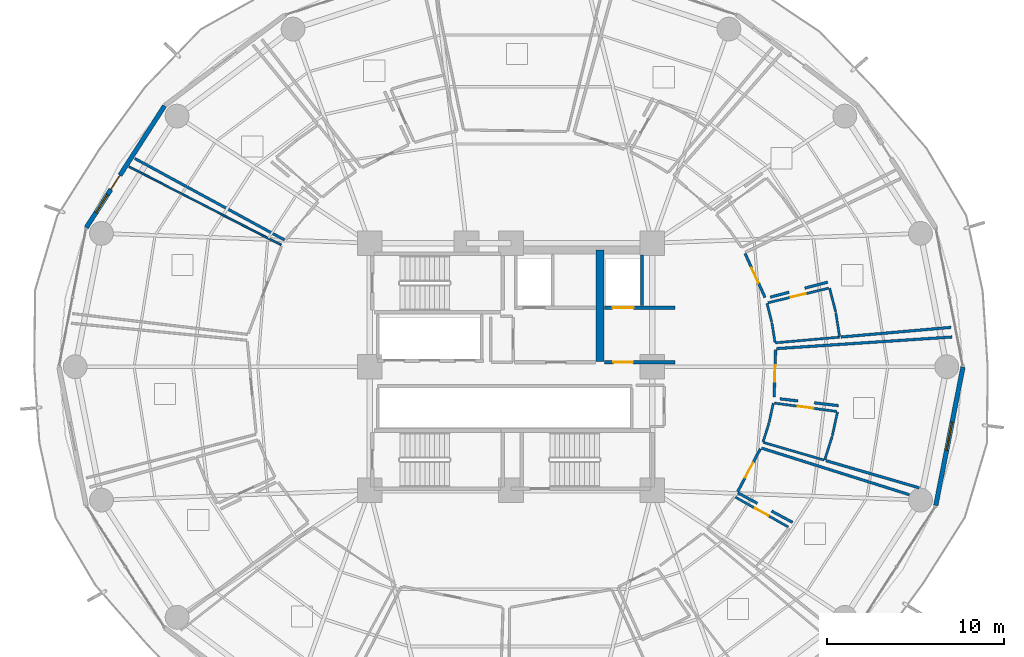
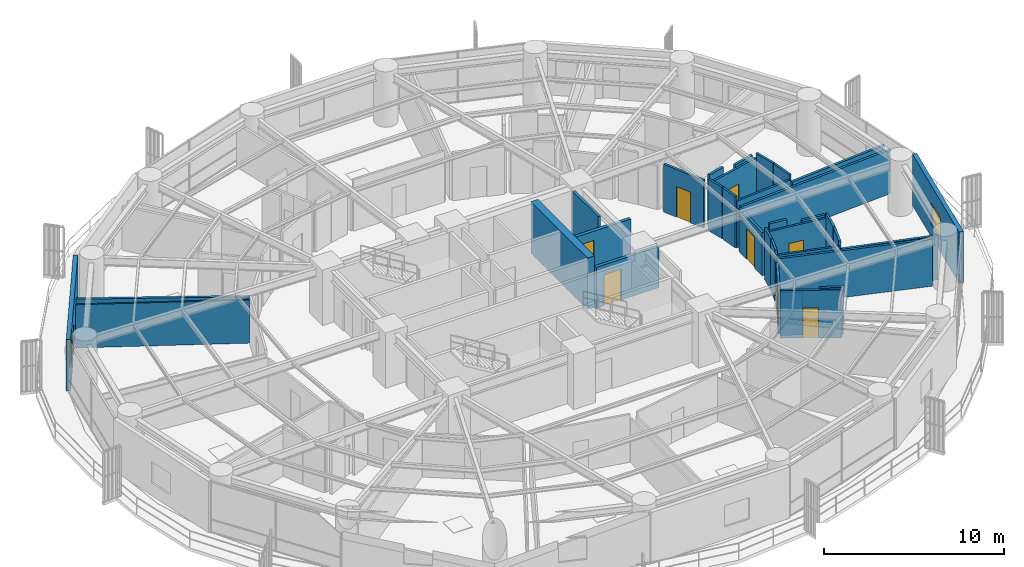
# One storey, part 29 of 36: 34 walls, 9 doors, 2 windows, 11 openings.
"""IFC4 building model written with IfcOpenShell, lengths in metres."""

from ifc_helpers import new_model, si_unit, direction, frame, frame_2d, origin, place, context, subcontext, project, spatial, rectangle, extrude, material, layer, layer_set, type_object, element, fill, save


model = new_model("IFC4")

# Units and contexts
model_context = context("Model", 3, precision=1e-05, world=origin(), true_north=direction((0.0, 1.0)))
body_context = subcontext(model_context, "Body", "Model", "MODEL_VIEW")
ifc_project = project(units=[si_unit("LENGTHUNIT", "METRE"), si_unit("AREAUNIT", "SQUARE_METRE"), si_unit("VOLUMEUNIT", "CUBIC_METRE"), si_unit("PLANEANGLEUNIT", "RADIAN"), si_unit("MASSUNIT", "GRAM", prefix="KILO")], contexts=[model_context])

# Site, building, storey
site_placement = place(None, origin())
site = spatial("IfcSite", under=ifc_project, at=site_placement, CompositionType="ELEMENT")
building_placement = place(site_placement, origin())
building = spatial("IfcBuilding", under=site, at=building_placement, Name="Kelanora Arch Commons", CompositionType="ELEMENT")
storey_placement = place(building_placement, frame((0.0, 0.0, 98.85009765625)))
storey = spatial("IfcBuildingStorey", under=building, at=storey_placement, Name="L25", CompositionType="ELEMENT", Elevation=98.85009765625)

# Wall
ifc_material_1 = material(Name="Autoclaved aerated concrete blockwork with fire plaster", Category="masonry")
ifc_layer_1 = layer(ifc_material_1, 0.14990234375)
ifc_layer_set_1 = layer_set([ifc_layer_1], Name="Autoclaved aerated concrete blockwork with fire plaster")
wall_type_1 = type_object("IfcWallType", Name="W-COMP-150", PredefinedType="PARTITIONING", material=ifc_layer_set_1)
wall_1_placement = place(storey_placement, frame((81.419921875, 61.47998046875, 0.0), z_axis=(0.0, 0.0, 1.0), x_axis=(0.0, 1.0, 0.0)))
element("IfcWall", 1, at=wall_1_placement, inside=storey, type_object=wall_type_1, Name="Firefighting Lift 2 East Shaft Wall L25", PredefinedType="PARTITIONING", context=body_context, shape_type="SweptSolid", body=[
    extrude(rectangle(XDim=2.840087890625, YDim=0.14990234375, at=frame_2d((1.419921875, 0.0))), origin(), (0.0, 0.0, 1.0), 3.47998046875),
])

# Wall, opening, door
wall_2_placement = place(storey_placement, frame((88.38720703125, 61.924560546875, 0.0), z_axis=(0.0, 0.0, 1.0), x_axis=(-0.413748987938, 0.910391001153, 0.0)))
wall_2 = element("IfcWall", 2, at=wall_2_placement, inside=storey, type_object=wall_type_1, Name="Co-Living Studio L25-01 Entry Partition", PredefinedType="PARTITIONING", context=body_context, shape_type="SweptSolid", body=[
    extrude(rectangle(XDim=2.727294921875, YDim=0.14990234375, at=frame_2d((1.36376953125, 0.0))), origin(), (0.0, 0.0, 1.0), 3.23486328125),
])
opening_1_placement = place(wall_2_placement, frame((0.888916015625, 0.0, 0.0)))
opening_1 = element("IfcOpeningElement", 3, at=opening_1_placement, cuts=wall_2, Name="Opening D-CLU1", PredefinedType="OPENING", context=body_context, shape_type="SweptSolid", body=[
    extrude(rectangle(XDim=0.949951171875, YDim=2.080078125, at=frame_2d((0.47509765625, 1.0400390625))), frame((0.0, 0.0849609375, 0.0), z_axis=(0.0, -1.0, 0.0), x_axis=(1.0, 0.0, 0.0)), (0.0, 0.0, 1.0), 0.169921875),
])
ifc_material_2 = material(Name="Solid-core acoustic timber cluster entry fire door", Category="wood")
door_type_1 = type_object("IfcDoorType", Name="D-CLU-95", OperationType="NOTDEFINED", PredefinedType="DOOR", material=ifc_material_2)
door_1_placement = place(opening_1_placement, origin())
door_1 = element("IfcDoor", 4, at=door_1_placement, inside=storey, type_object=door_type_1, Name="Co-Living Studio L25-01 Door", OperationType="SINGLE_SWING_RIGHT", OverallHeight=2.080078125, OverallWidth=0.949951171875, PredefinedType="DOOR", context=body_context, shape_type="SweptSolid", body=[
    extrude(rectangle(XDim=0.949951171875, YDim=2.080078125, at=frame_2d((0.47509765625, 1.0400390625))), frame((0.0, 0.02490234375, 0.0), z_axis=(0.0, -1.0, 0.0), x_axis=(1.0, 0.0, 0.0)), (0.0, 0.0, 1.0), 0.050048828125),
])
fill(opening_1, door_1)

wall_3_placement = place(storey_placement, frame((86.842041015625, 50.929931640625, 0.0), z_axis=(0.0, 0.0, 1.0), x_axis=(0.467240653506, 0.884130178034, 0.0)))
wall_3 = element("IfcWall", 5, at=wall_3_placement, inside=storey, type_object=wall_type_1, Name="Co-Living Studio L25-14 Entry Partition", PredefinedType="PARTITIONING", context=body_context, shape_type="SweptSolid", body=[
    extrude(rectangle(XDim=2.739501953125, YDim=0.14990234375, at=frame_2d((1.36962890625, 0.0))), origin(), (0.0, 0.0, 1.0), 2.9248046875),
])
opening_2_placement = place(wall_3_placement, frame((0.89501953125, 0.0, 0.0)))
opening_2 = element("IfcOpeningElement", 6, at=opening_2_placement, cuts=wall_3, Name="Opening D-CLU1", PredefinedType="OPENING", context=body_context, shape_type="SweptSolid", body=[
    extrude(rectangle(XDim=0.949951171875, YDim=2.080078125, at=frame_2d((0.47509765625, 1.0400390625))), frame((0.0, 0.0849609375, 0.0), z_axis=(0.0, -1.0, 0.0), x_axis=(1.0, 0.0, 0.0)), (0.0, 0.0, 1.0), 0.169921875),
])
door_2_placement = place(opening_2_placement, origin())
door_2 = element("IfcDoor", 7, at=door_2_placement, inside=storey, type_object=door_type_1, Name="Co-Living Studio L25-14 Door", OperationType="SINGLE_SWING_RIGHT", OverallHeight=2.080078125, OverallWidth=0.949951171875, PredefinedType="DOOR", context=body_context, shape_type="SweptSolid", body=[
    extrude(rectangle(XDim=0.949951171875, YDim=2.080078125, at=frame_2d((0.47509765625, 1.0400390625))), frame((0.0, 0.02490234375, 0.0), z_axis=(0.0, -1.0, 0.0), x_axis=(1.0, 0.0, 0.0)), (0.0, 0.0, 1.0), 0.050048828125),
])
fill(opening_2, door_2)

wall_4_placement = place(storey_placement, frame((88.90283203125, 56.280029296875, 0.0), z_axis=(0.0, 0.0, 1.0), x_axis=(0.031027384649, 0.999518534797, 0.0)))
wall_4 = element("IfcWall", 8, at=wall_4_placement, inside=storey, type_object=wall_type_1, Name="Co-Living Studio L25-15 Entry Partition", PredefinedType="PARTITIONING", context=body_context, shape_type="SweptSolid", body=[
    extrude(rectangle(XDim=2.68310546875, YDim=0.14990234375, at=frame_2d((1.341552734375, 0.0))), origin(), (0.0, 0.0, 1.0), 2.9248046875),
])
opening_3_placement = place(wall_4_placement, frame((0.866943359375, 0.0, 0.0)))
opening_3 = element("IfcOpeningElement", 9, at=opening_3_placement, cuts=wall_4, Name="Opening D-CLU1", PredefinedType="OPENING", context=body_context, shape_type="SweptSolid", body=[
    extrude(rectangle(XDim=0.949951171875, YDim=2.080078125, at=frame_2d((0.47509765625, 1.0400390625))), frame((0.0, 0.0849609375, 0.0), z_axis=(0.0, -1.0, 0.0), x_axis=(1.0, 0.0, 0.0)), (0.0, 0.0, 1.0), 0.169921875),
])
door_3_placement = place(opening_3_placement, origin())
door_3 = element("IfcDoor", 10, at=door_3_placement, inside=storey, type_object=door_type_1, Name="Co-Living Studio L25-15 Door", OperationType="SINGLE_SWING_RIGHT", OverallHeight=2.080078125, OverallWidth=0.949951171875, PredefinedType="DOOR", context=body_context, shape_type="SweptSolid", body=[
    extrude(rectangle(XDim=0.949951171875, YDim=2.080078125, at=frame_2d((0.47509765625, 1.0400390625))), frame((0.0, 0.02490234375, 0.0), z_axis=(0.0, -1.0, 0.0), x_axis=(1.0, 0.0, 0.0)), (0.0, 0.0, 1.0), 0.050048828125),
])
fill(opening_3, door_3)

# Walls
wall_5_placement = place(storey_placement, frame((98.916259765625, 60.2294921875, 0.0), z_axis=(0.0, 0.0, 1.0), x_axis=(-0.996158887303, -0.08756409793, 0.0)))
element("IfcWall", 11, at=wall_5_placement, inside=storey, type_object=wall_type_1, Name="Co-Living Studio L25-01 Enclosure Partition 5", PredefinedType="PARTITIONING", context=body_context, shape_type="SweptSolid", body=[
    extrude(rectangle(XDim=6.245361328125, YDim=0.14990234375, at=frame_2d((3.12255859375, 0.0))), origin(), (0.0, 0.0, 1.0), 2.974853515625),
])
wall_6_placement = place(storey_placement, frame((91.938232421875, 62.788818359375, 0.0), z_axis=(0.0, 0.0, 1.0), x_axis=(-0.967708049996, -0.252073659816, 0.0)))
element("IfcWall", 12, at=wall_6_placement, inside=storey, type_object=wall_type_1, Name="Co-Living Studio L25-01 Enclosure Partition 7", PredefinedType="PARTITIONING", context=body_context, shape_type="SweptSolid", body=[
    extrude(rectangle(XDim=1.34130859375, YDim=0.14990234375, at=frame_2d((0.670654296875, 0.0))), origin(), (0.0, 0.0, 1.0), 3.1748046875),
])
wall_7_placement = place(storey_placement, frame((89.74951171875, 62.218505859375, 0.0), z_axis=(0.0, 0.0, 1.0), x_axis=(-0.96768541666, -0.252160532962, 0.0)))
element("IfcWall", 13, at=wall_7_placement, inside=storey, type_object=wall_type_1, Name="Co-Living Studio L25-01 Enclosure Partition 7", PredefinedType="PARTITIONING", context=body_context, shape_type="SweptSolid", body=[
    extrude(rectangle(XDim=1.102783203125, YDim=0.14990234375, at=frame_2d((0.55126953125, 0.0))), origin(), (0.0, 0.0, 1.0), 3.47998046875),
])
wall_8_placement = place(storey_placement, frame((61.177001953125, 65.18115234375, 0.0), z_axis=(0.0, 0.0, 1.0), x_axis=(-0.878445909545, 0.477841798092, 0.0)))
element("IfcWall", 14, at=wall_8_placement, inside=storey, type_object=wall_type_1, Name="Co-Living Studio L25-06 Enclosure Partition 2", PredefinedType="PARTITIONING", context=body_context, shape_type="SweptSolid", body=[
    extrude(rectangle(XDim=9.6533203125, YDim=0.14990234375, at=frame_2d((4.82666015625, 0.0))), origin(), (0.0, 0.0, 1.0), 2.9248046875),
])
wall_9_placement = place(storey_placement, frame((88.18798828125, 53.39306640625, 0.0), z_axis=(0.0, 0.0, 1.0), x_axis=(0.95372586497, -0.300677525743, 0.0)))
element("IfcWall", 15, at=wall_9_placement, inside=storey, type_object=wall_type_1, Name="Co-Living Studio L25-14 Enclosure Partition 2", PredefinedType="PARTITIONING", context=body_context, shape_type="SweptSolid", body=[
    extrude(rectangle(XDim=8.77978515625, YDim=0.14990234375, at=frame_2d((4.389892578125, 0.0))), origin(), (0.0, 0.0, 1.0), 3.1748046875),
])
wall_10_placement = place(storey_placement, frame((89.94873046875, 49.18505859375, 0.0), z_axis=(0.0, 0.0, 1.0), x_axis=(-0.879994582466, 0.474983720595, 0.0)))
element("IfcWall", 16, at=wall_10_placement, inside=storey, type_object=wall_type_1, Name="Co-Living Studio L25-14 Enclosure Partition 7", PredefinedType="PARTITIONING", context=body_context, shape_type="SweptSolid", body=[
    extrude(rectangle(XDim=1.350341796875, YDim=0.14990234375, at=frame_2d((0.67529296875, 0.0))), origin(), (0.0, 0.0, 1.0), 3.1748046875),
])
wall_11_placement = place(storey_placement, frame((87.95068359375, 50.263427734375, 0.0), z_axis=(0.0, 0.0, 1.0), x_axis=(-0.880026054437, 0.474925408367, 0.0)))
element("IfcWall", 17, at=wall_11_placement, inside=storey, type_object=wall_type_1, Name="Co-Living Studio L25-14 Enclosure Partition 7", PredefinedType="PARTITIONING", context=body_context, shape_type="SweptSolid", body=[
    extrude(rectangle(XDim=1.251708984375, YDim=0.14990234375, at=frame_2d((0.6259765625, 0.0))), origin(), (0.0, 0.0, 1.0), 2.9248046875),
])
wall_12_placement = place(storey_placement, frame((89.02783203125, 59.024658203125, 0.0), z_axis=(0.0, 0.0, 1.0), x_axis=(0.997812074352, 0.066114024819, 0.0)))
element("IfcWall", 18, at=wall_12_placement, inside=storey, type_object=wall_type_1, Name="Co-Living Studio L25-15 Enclosure Partition 2", PredefinedType="PARTITIONING", context=body_context, shape_type="SweptSolid", body=[
    extrude(rectangle(XDim=9.962890625, YDim=0.14990234375, at=frame_2d((4.9814453125, 0.0))), origin(), (0.0, 0.0, 1.0), 2.974853515625),
])
wall_13_placement = place(storey_placement, frame((97.114990234375, 51.14404296875, 0.0), z_axis=(0.0, 0.0, 1.0), x_axis=(-0.960104911934, 0.279640050924, 0.0)))
element("IfcWall", 19, at=wall_13_placement, inside=storey, type_object=wall_type_1, Name="Co-Living Studio L25-15 Enclosure Partition 5", PredefinedType="PARTITIONING", context=body_context, shape_type="SweptSolid", body=[
    extrude(rectangle(XDim=5.495849609375, YDim=0.14990234375, at=frame_2d((2.748046875, 0.0))), origin(), (0.0, 0.0, 1.0), 2.974853515625),
])
wall_14_placement = place(storey_placement, frame((92.54736328125, 55.796630859375, 0.0), z_axis=(0.0, 0.0, 1.0), x_axis=(-0.993324337397, 0.115354933722, 0.0)))
element("IfcWall", 20, at=wall_14_placement, inside=storey, type_object=wall_type_1, Name="Co-Living Studio L25-15 Enclosure Partition 7", PredefinedType="PARTITIONING", context=body_context, shape_type="SweptSolid", body=[
    extrude(rectangle(XDim=1.382080078125, YDim=0.14990234375, at=frame_2d((0.69091796875, 0.0))), origin(), (0.0, 0.0, 1.0), 3.1748046875),
])
wall_15_placement = place(storey_placement, frame((90.260498046875, 56.06201171875, 0.0), z_axis=(0.0, 0.0, 1.0), x_axis=(-0.993318037321, 0.115409170924, 0.0)))
element("IfcWall", 21, at=wall_15_placement, inside=storey, type_object=wall_type_1, Name="Co-Living Studio L25-15 Enclosure Partition 7", PredefinedType="PARTITIONING", context=body_context, shape_type="SweptSolid", body=[
    extrude(rectangle(XDim=1.03857421875, YDim=0.14990234375, at=frame_2d((0.519287109375, 0.0))), origin(), (0.0, 0.0, 1.0), 3.47998046875),
])
ifc_material_3 = material(Name="Concrete C60/75", Category="concrete")
ifc_layer_2 = layer(ifc_material_3, 0.449951171875)
ifc_layer_set_2 = layer_set([ifc_layer_2], Name="Concrete C60/75")
wall_type_2 = type_object("IfcWallType", Name="W-CORE-450", PredefinedType="SHEAR", material=ifc_layer_set_2)
wall_16_placement = place(storey_placement, frame((79.050048828125, 58.300048828125, 0.0), z_axis=(0.0, 0.0, 1.0), x_axis=(0.0, 1.0, 0.0)))
element("IfcWall", 22, at=wall_16_placement, inside=storey, type_object=wall_type_2, Name="Core Shear Spine L25-CE-N", PredefinedType="SHEAR", context=body_context, shape_type="SweptSolid", body=[
    extrude(rectangle(XDim=6.300048828125, YDim=0.449951171875, at=frame_2d((3.14990234375, 0.0))), origin(), (0.0, 0.0, 1.0), 3.489990234375),
])

# Wall, openings, door, window
ifc_material_4 = material(Name="Precast concrete C40/50 with terracotta rainscreen", Category="masonry")
ifc_layer_3 = layer(ifc_material_4, 0.260009765625)
ifc_layer_set_3 = layer_set([ifc_layer_3], Name="Precast concrete C40/50 with terracotta rainscreen")
wall_type_3 = type_object("IfcWallType", Name="W-EXT-TC", PredefinedType="SOLIDWALL", material=ifc_layer_set_3)
wall_17_placement = place(storey_placement, frame((54.381103515625, 72.771484375, 0.0), z_axis=(0.0, 0.0, 1.0), x_axis=(-0.540620528459, -0.841266571432, 0.0)))
wall_17 = element("IfcWall", 23, at=wall_17_placement, inside=storey, type_object=wall_type_3, Name="Terracotta Exterior Wall L25-B07", PredefinedType="SOLIDWALL", context=body_context, shape_type="SweptSolid", body=[
    extrude(rectangle(XDim=8.19287109375, YDim=0.260009765625, at=frame_2d((4.096435546875, 0.0))), origin(), (0.0, 0.0, 1.0), 3.474853515625),
])
opening_4_placement = place(wall_17_placement, frame((4.6708984375, 0.0, 0.0)))
opening_4 = element("IfcOpeningElement", 24, at=opening_4_placement, cuts=wall_17, Name="Opening DB-01", PredefinedType="OPENING", context=body_context, shape_type="SweptSolid", body=[
    extrude(rectangle(XDim=0.949951171875, YDim=2.10009765625, at=frame_2d((0.47509765625, 1.050048828125))), frame((0.0, 0.14013671875, 0.0), z_axis=(0.0, -1.0, 0.0), x_axis=(1.0, 0.0, 0.0)), (0.0, 0.0, 1.0), 0.280029296875),
])
opening_5_placement = place(wall_17_placement, frame((5.970947265625, 0.0, 0.85009765625)))
opening_5 = element("IfcOpeningElement", 25, at=opening_5_placement, cuts=wall_17, Name="Opening WN-02", PredefinedType="OPENING", context=body_context, shape_type="SweptSolid", body=[
    extrude(rectangle(XDim=1.199951171875, YDim=1.449951171875, at=frame_2d((0.60009765625, 0.72509765625))), frame((0.0, 0.14013671875, 0.0), z_axis=(0.0, -1.0, 0.0), x_axis=(1.0, 0.0, 0.0)), (0.0, 0.0, 1.0), 0.280029296875),
])
ifc_material_5 = material(Name="Terracotta-aluminium thermally broken glazed balcony door", Category="masonry")
door_type_2 = type_object("IfcDoorType", Name="D-BAL-10", OperationType="NOTDEFINED", PredefinedType="DOOR", material=ifc_material_5)
door_4_placement = place(opening_4_placement, frame((0.949951171875, 0.0, 0.0), z_axis=(0.0, 0.0, 1.0), x_axis=(-1.0, 0.0, 0.0)))
door_4 = element("IfcDoor", 26, at=door_4_placement, inside=storey, type_object=door_type_2, Name="Wave Balcony Door L25-B07", OperationType="SINGLE_SWING_LEFT", OverallHeight=2.10009765625, OverallWidth=0.949951171875, PredefinedType="DOOR", context=body_context, shape_type="SweptSolid", body=[
    extrude(rectangle(XDim=0.949951171875, YDim=2.10009765625, at=frame_2d((0.47509765625, 1.050048828125))), frame((0.0, 0.02490234375, 0.0), z_axis=(0.0, -1.0, 0.0), x_axis=(1.0, 0.0, 0.0)), (0.0, 0.0, 1.0), 0.050048828125),
])
fill(opening_4, door_4)
ifc_material_6 = material(Name="Terracotta-anodised aluminium frame with operable awning sash", Category="masonry")
window_type_1 = type_object("IfcWindowType", Name="WIN-CL-12", PartitioningType="SINGLE_PANEL", PredefinedType="WINDOW", material=ifc_material_6)
window_1_placement = place(opening_5_placement, origin())
window_1 = element("IfcWindow", 27, at=window_1_placement, inside=storey, type_object=window_type_1, Name="Co-Living Operable Window L25-B07", OverallHeight=1.449951171875, OverallWidth=1.199951171875, PartitioningType="SINGLE_PANEL", PredefinedType="WINDOW", context=body_context, shape_type="SweptSolid", body=[
    extrude(rectangle(XDim=1.199951171875, YDim=1.449951171875, at=frame_2d((0.60009765625, 0.72509765625))), frame((0.0, 0.030029296875, 0.0), z_axis=(0.0, -1.0, 0.0), x_axis=(1.0, 0.0, 0.0)), (0.0, 0.0, 1.0), 0.06005859375),
])
fill(opening_5, window_1)

# Wall, opening, window
wall_18_placement = place(storey_placement, frame((98.05908203125, 50.148193359375, 0.0), z_axis=(0.0, 0.0, 1.0), x_axis=(0.192581843632, 0.981280914674, 0.0)))
wall_18 = element("IfcWall", 28, at=wall_18_placement, inside=storey, type_object=wall_type_3, Name="Terracotta Exterior Wall L25-B17", PredefinedType="SOLIDWALL", context=body_context, shape_type="SweptSolid", body=[
    extrude(rectangle(XDim=7.986572265625, YDim=0.260009765625, at=frame_2d((3.9931640625, 0.0))), origin(), (0.0, 0.0, 1.0), 3.474853515625),
])
opening_6_placement = place(wall_18_placement, frame((3.193115234375, 0.0, 0.85009765625)))
opening_6 = element("IfcOpeningElement", 29, at=opening_6_placement, cuts=wall_18, Name="Opening WN-01", PredefinedType="OPENING", context=body_context, shape_type="SweptSolid", body=[
    extrude(rectangle(XDim=1.60009765625, YDim=1.449951171875, at=frame_2d((0.800048828125, 0.72509765625))), frame((0.0, 0.14013671875, 0.0), z_axis=(0.0, -1.0, 0.0), x_axis=(1.0, 0.0, 0.0)), (0.0, 0.0, 1.0), 0.280029296875),
])
ifc_material_7 = material(Name="Terracotta-anodised aluminium frame with operable low-E glazing", Category="masonry")
window_type_2 = type_object("IfcWindowType", Name="WIN-CL-18", PartitioningType="DOUBLE_PANEL_VERTICAL", PredefinedType="WINDOW", material=ifc_material_7)
window_2_placement = place(opening_6_placement, origin())
window_2 = element("IfcWindow", 30, at=window_2_placement, inside=storey, type_object=window_type_2, Name="Co-Living Operable Window L25-B17", OverallHeight=1.449951171875, OverallWidth=1.60009765625, PartitioningType="SINGLE_PANEL", PredefinedType="WINDOW", context=body_context, shape_type="SweptSolid", body=[
    extrude(rectangle(XDim=1.60009765625, YDim=1.449951171875, at=frame_2d((0.800048828125, 0.72509765625))), frame((0.0, 0.030029296875, 0.0), z_axis=(0.0, -1.0, 0.0), x_axis=(1.0, 0.0, 0.0)), (0.0, 0.0, 1.0), 0.06005859375),
])
fill(opening_6, window_2)

# Wall, opening, door
ifc_material_8 = material(Name="Concrete C40/50", Category="concrete")
ifc_layer_4 = layer(ifc_material_8, 0.199951171875)
ifc_layer_set_4 = layer_set([ifc_layer_4], Name="Concrete C40/50")
wall_type_4 = type_object("IfcWallType", Name="W-FFL-200", PredefinedType="SOLIDWALL", material=ifc_layer_set_4)
wall_19_placement = place(storey_placement, frame((79.300048828125, 61.35009765625, 0.0), z_axis=(0.0, 0.0, 1.0), x_axis=(1.0, 0.0, 0.0)))
wall_19 = element("IfcWall", 31, at=wall_19_placement, inside=storey, type_object=wall_type_4, Name="Firefighting Lift 2 Shaft Front L25", PredefinedType="SOLIDWALL", context=body_context, shape_type="SweptSolid", body=[
    extrude(rectangle(XDim=4.0, YDim=0.199951171875, at=frame_2d((2.0, 0.0))), origin(), (0.0, 0.0, 1.0), 2.77490234375),
])
opening_7_placement = place(wall_19_placement, frame((0.449951171875, 0.0, 0.0)))
opening_7 = element("IfcOpeningElement", 32, at=opening_7_placement, cuts=wall_19, Name="Opening LD-FF", PredefinedType="OPENING", context=body_context, shape_type="SweptSolid", body=[
    extrude(rectangle(XDim=1.199951171875, YDim=2.14990234375, at=frame_2d((0.60009765625, 1.074951171875))), frame((0.0, 0.10986328125, 0.0), z_axis=(0.0, -1.0, 0.0), x_axis=(1.0, 0.0, 0.0)), (0.0, 0.0, 1.0), 0.219970703125),
])
ifc_material_9 = material(Name="Fire-rated firefighters lift sliding landing door")
door_type_3 = type_object("IfcDoorType", Name="D-LIFT-FF", OperationType="NOTDEFINED", PredefinedType="DOOR", material=ifc_material_9)
door_5_placement = place(opening_7_placement, origin())
door_5 = element("IfcDoor", 33, at=door_5_placement, inside=storey, type_object=door_type_3, Name="Firefighting Lift LF-FF2 Landing Door L25", OperationType="DOUBLE_DOOR_SLIDING", OverallHeight=2.14990234375, OverallWidth=1.199951171875, PredefinedType="DOOR", context=body_context, shape_type="SweptSolid", body=[
    extrude(rectangle(XDim=1.199951171875, YDim=2.14990234375, at=frame_2d((0.60009765625, 1.074951171875))), frame((0.0, 0.02490234375, 0.0), z_axis=(0.0, -1.0, 0.0), x_axis=(1.0, 0.0, 0.0)), (0.0, 0.0, 1.0), 0.050048828125),
])
fill(opening_7, door_5)

wall_20_placement = place(storey_placement, frame((79.300048828125, 58.25, 0.0), z_axis=(0.0, 0.0, 1.0), x_axis=(1.0, 0.0, 0.0)))
wall_20 = element("IfcWall", 34, at=wall_20_placement, inside=storey, type_object=wall_type_4, Name="Firefighting Lobby 2 Enclosure Wall L25", PredefinedType="SOLIDWALL", context=body_context, shape_type="SweptSolid", body=[
    extrude(rectangle(XDim=4.0, YDim=0.199951171875, at=frame_2d((2.0, 0.0))), origin(), (0.0, 0.0, 1.0), 2.77490234375),
])
opening_8_placement = place(wall_20_placement, frame((0.5, 0.0, 0.0)))
opening_8 = element("IfcOpeningElement", 35, at=opening_8_placement, cuts=wall_20, Name="Opening D-FFL1", PredefinedType="OPENING", context=body_context, shape_type="SweptSolid", body=[
    extrude(rectangle(XDim=1.10009765625, YDim=2.10009765625, at=frame_2d((0.550048828125, 1.050048828125))), frame((0.0, 0.10986328125, 0.0), z_axis=(0.0, -1.0, 0.0), x_axis=(1.0, 0.0, 0.0)), (0.0, 0.0, 1.0), 0.219970703125),
])
ifc_material_10 = material(Name="Smoke-sealed firefighting lobby fire door")
door_type_4 = type_object("IfcDoorType", Name="D-FFL-110", OperationType="NOTDEFINED", PredefinedType="DOOR", material=ifc_material_10)
door_6_placement = place(opening_8_placement, frame((1.10009765625, 0.0, 0.0), z_axis=(0.0, 0.0, 1.0), x_axis=(-1.0, 0.0, 0.0)))
door_6 = element("IfcDoor", 36, at=door_6_placement, inside=storey, type_object=door_type_4, Name="Firefighting Lobby 2 Door L25", OperationType="SINGLE_SWING_RIGHT", OverallHeight=2.10009765625, OverallWidth=1.10009765625, PredefinedType="DOOR", context=body_context, shape_type="SweptSolid", body=[
    extrude(rectangle(XDim=1.10009765625, YDim=2.10009765625, at=frame_2d((0.550048828125, 1.050048828125))), frame((0.0, 0.02490234375, 0.0), z_axis=(0.0, -1.0, 0.0), x_axis=(1.0, 0.0, 0.0)), (0.0, 0.0, 1.0), 0.050048828125),
])
fill(opening_8, door_6)

# Wall
ifc_material_11 = material(Name="Lightweight fire-rated acoustic stud partition")
ifc_layer_5 = layer(ifc_material_11, 0.10009765625)
ifc_layer_set_5 = layer_set([ifc_layer_5], Name="Lightweight fire-rated acoustic stud partition")
wall_type_5 = type_object("IfcWallType", Name="W-PART-100", PredefinedType="PARTITIONING", material=ifc_layer_set_5)
wall_21_placement = place(storey_placement, frame((52.381591796875, 69.32373046875, 0.0), z_axis=(0.0, 0.0, 1.0), x_axis=(0.889175506344, -0.457566300025, 0.0)))
element("IfcWall", 37, at=wall_21_placement, inside=storey, type_object=wall_type_5, Name="Social Sky Lounge L25-07 Enclosure Partition 4", PredefinedType="PARTITIONING", context=body_context, shape_type="SweptSolid", body=[
    extrude(rectangle(XDim=9.67822265625, YDim=0.10009765625, at=frame_2d((4.839111328125, 0.0))), origin(), (0.0, 0.0, 1.0), 2.9248046875),
])

# Wall, opening, door
ifc_material_12 = material(Name="Moisture-resistant fire-rated cement-board plumbing wall")
ifc_layer_6 = layer(ifc_material_12, 0.1298828125)
ifc_layer_set_6 = layer_set([ifc_layer_6], Name="Moisture-resistant fire-rated cement-board plumbing wall")
wall_type_6 = type_object("IfcWallType", Name="W-WET-120", PredefinedType="PLUMBINGWALL", material=ifc_layer_set_6)
wall_22_placement = place(storey_placement, frame((88.55224609375, 61.62109375, 0.0), z_axis=(0.0, 0.0, 1.0), x_axis=(0.972155080707, 0.234338428465, 0.0)))
wall_22 = element("IfcWall", 38, at=wall_22_placement, inside=storey, type_object=wall_type_6, Name="En-Suite Shower WC L25-01 Entry Partition", PredefinedType="PLUMBINGWALL", context=body_context, shape_type="SweptSolid", body=[
    extrude(rectangle(XDim=3.528564453125, YDim=0.1298828125, at=frame_2d((1.76416015625, 0.0))), origin(), (0.0, 0.0, 1.0), 3.1748046875),
])
opening_9_placement = place(wall_22_placement, frame((1.333984375, 0.0, 0.0)))
opening_9 = element("IfcOpeningElement", 39, at=opening_9_placement, cuts=wall_22, Name="Opening D-BT1", PredefinedType="OPENING", context=body_context, shape_type="SweptSolid", body=[
    extrude(rectangle(XDim=0.860107421875, YDim=2.050048828125, at=frame_2d((0.43017578125, 1.02490234375))), frame((0.0, 0.074951171875, 0.0), z_axis=(0.0, -1.0, 0.0), x_axis=(1.0, 0.0, 0.0)), (0.0, 0.0, 1.0), 0.14990234375),
])
ifc_material_13 = material(Name="Moisture-sealed fire-rated accessible bathroom door")
door_type_5 = type_object("IfcDoorType", Name="D-BATH-85", OperationType="NOTDEFINED", PredefinedType="DOOR", material=ifc_material_13)
door_7_placement = place(opening_9_placement, origin())
door_7 = element("IfcDoor", 40, at=door_7_placement, inside=storey, type_object=door_type_5, Name="En-Suite Shower WC L25-01 Door", OperationType="SINGLE_SWING_LEFT", OverallHeight=2.050048828125, OverallWidth=0.860107421875, PredefinedType="DOOR", context=body_context, shape_type="SweptSolid", body=[
    extrude(rectangle(XDim=0.860107421875, YDim=2.050048828125, at=frame_2d((0.43017578125, 1.02490234375))), frame((0.0, 0.02490234375, 0.0), z_axis=(0.0, -1.0, 0.0), x_axis=(1.0, 0.0, 0.0)), (0.0, 0.0, 1.0), 0.050048828125),
])
fill(opening_9, door_7)

wall_23_placement = place(storey_placement, frame((86.706298828125, 50.615478515625, 0.0), z_axis=(0.0, 0.0, 1.0), x_axis=(0.871227933134, -0.490878690236, 0.0)))
wall_23 = element("IfcWall", 41, at=wall_23_placement, inside=storey, type_object=wall_type_6, Name="En-Suite Shower WC L25-14 Entry Partition", PredefinedType="PLUMBINGWALL", context=body_context, shape_type="SweptSolid", body=[
    extrude(rectangle(XDim=3.434814453125, YDim=0.1298828125, at=frame_2d((1.71728515625, 0.0))), origin(), (0.0, 0.0, 1.0), 3.23486328125),
])
opening_10_placement = place(wall_23_placement, frame((1.287109375, 0.0, 0.0)))
opening_10 = element("IfcOpeningElement", 42, at=opening_10_placement, cuts=wall_23, Name="Opening D-BT1", PredefinedType="OPENING", context=body_context, shape_type="SweptSolid", body=[
    extrude(rectangle(XDim=0.860107421875, YDim=2.050048828125, at=frame_2d((0.43017578125, 1.02490234375))), frame((0.0, 0.074951171875, 0.0), z_axis=(0.0, -1.0, 0.0), x_axis=(1.0, 0.0, 0.0)), (0.0, 0.0, 1.0), 0.14990234375),
])
door_8_placement = place(opening_10_placement, origin())
door_8 = element("IfcDoor", 43, at=door_8_placement, inside=storey, type_object=door_type_5, Name="En-Suite Shower WC L25-14 Door", OperationType="SINGLE_SWING_LEFT", OverallHeight=2.050048828125, OverallWidth=0.860107421875, PredefinedType="DOOR", context=body_context, shape_type="SweptSolid", body=[
    extrude(rectangle(XDim=0.860107421875, YDim=2.050048828125, at=frame_2d((0.43017578125, 1.02490234375))), frame((0.0, 0.02490234375, 0.0), z_axis=(0.0, -1.0, 0.0), x_axis=(1.0, 0.0, 0.0)), (0.0, 0.0, 1.0), 0.050048828125),
])
fill(opening_10, door_8)

wall_24_placement = place(storey_placement, frame((88.91845703125, 55.94091796875, 0.0), z_axis=(0.0, 0.0, 1.0), x_axis=(0.991153836697, -0.132718016867, 0.0)))
wall_24 = element("IfcWall", 44, at=wall_24_placement, inside=storey, type_object=wall_type_6, Name="En-Suite Shower WC L25-15 Entry Partition", PredefinedType="PLUMBINGWALL", context=body_context, shape_type="SweptSolid", body=[
    extrude(rectangle(XDim=3.548583984375, YDim=0.1298828125, at=frame_2d((1.7744140625, 0.0))), origin(), (0.0, 0.0, 1.0), 3.1748046875),
])
opening_11_placement = place(wall_24_placement, frame((1.343994140625, 0.0, 0.0)))
opening_11 = element("IfcOpeningElement", 45, at=opening_11_placement, cuts=wall_24, Name="Opening D-BT1", PredefinedType="OPENING", context=body_context, shape_type="SweptSolid", body=[
    extrude(rectangle(XDim=0.860107421875, YDim=2.050048828125, at=frame_2d((0.43017578125, 1.02490234375))), frame((0.0, 0.074951171875, 0.0), z_axis=(0.0, -1.0, 0.0), x_axis=(1.0, 0.0, 0.0)), (0.0, 0.0, 1.0), 0.14990234375),
])
door_9_placement = place(opening_11_placement, origin())
door_9 = element("IfcDoor", 46, at=door_9_placement, inside=storey, type_object=door_type_5, Name="En-Suite Shower WC L25-15 Door", OperationType="SINGLE_SWING_LEFT", OverallHeight=2.050048828125, OverallWidth=0.860107421875, PredefinedType="DOOR", context=body_context, shape_type="SweptSolid", body=[
    extrude(rectangle(XDim=0.860107421875, YDim=2.050048828125, at=frame_2d((0.43017578125, 1.02490234375))), frame((0.0, 0.02490234375, 0.0), z_axis=(0.0, -1.0, 0.0), x_axis=(1.0, 0.0, 0.0)), (0.0, 0.0, 1.0), 0.050048828125),
])
fill(opening_11, door_9)

# Walls
wall_25_placement = place(storey_placement, frame((88.952880859375, 59.373779296875, 0.0), z_axis=(0.0, 0.0, 1.0), x_axis=(-0.15586083115, 0.987779024536, 0.0)))
element("IfcWall", 47, at=wall_25_placement, inside=storey, type_object=wall_type_6, Name="En-Suite Shower WC L25-01 Enclosure Partition 1", PredefinedType="PLUMBINGWALL", context=body_context, shape_type="SweptSolid", body=[
    extrude(rectangle(XDim=1.109130859375, YDim=0.1298828125, at=frame_2d((0.5546875, 0.0))), origin(), (0.0, 0.0, 1.0), 3.47998046875),
])
wall_26_placement = place(storey_placement, frame((88.772216796875, 60.50830078125, 0.0), z_axis=(0.0, 0.0, 1.0), x_axis=(-0.245578364709, 0.96937674141, 0.0)))
element("IfcWall", 48, at=wall_26_placement, inside=storey, type_object=wall_type_6, Name="En-Suite Shower WC L25-01 Enclosure Partition 2", PredefinedType="PLUMBINGWALL", context=body_context, shape_type="SweptSolid", body=[
    extrude(rectangle(XDim=1.113525390625, YDim=0.1298828125, at=frame_2d((0.556640625, 0.0))), origin(), (0.0, 0.0, 1.0), 3.47998046875),
])
wall_27_placement = place(storey_placement, frame((92.0458984375, 62.442626953125, 0.0), z_axis=(0.0, 0.0, 1.0), x_axis=(0.246925879087, -0.969034369998, 0.0)))
element("IfcWall", 49, at=wall_27_placement, inside=storey, type_object=wall_type_6, Name="En-Suite Shower WC L25-01 Enclosure Partition 4", PredefinedType="PLUMBINGWALL", context=body_context, shape_type="SweptSolid", body=[
    extrude(rectangle(XDim=1.38623046875, YDim=0.1298828125, at=frame_2d((0.693115234375, 0.0))), origin(), (0.0, 0.0, 1.0), 3.47998046875),
])
wall_28_placement = place(storey_placement, frame((92.39599609375, 61.060302734375, 0.0), z_axis=(0.0, 0.0, 1.0), x_axis=(0.156116740912, -0.987738610771, 0.0)))
element("IfcWall", 50, at=wall_28_placement, inside=storey, type_object=wall_type_6, Name="En-Suite Shower WC L25-01 Enclosure Partition 5", PredefinedType="PLUMBINGWALL", context=body_context, shape_type="SweptSolid", body=[
    extrude(rectangle(XDim=1.38232421875, YDim=0.1298828125, at=frame_2d((0.691162109375, 0.0))), origin(), (0.0, 0.0, 1.0), 3.47998046875),
])
wall_29_placement = place(storey_placement, frame((92.59521484375, 59.67333984375, 0.0), z_axis=(0.0, 0.0, 1.0), x_axis=(-0.996171439416, -0.087421183317, 0.0)))
element("IfcWall", 51, at=wall_29_placement, inside=storey, type_object=wall_type_6, Name="En-Suite Shower WC L25-01 Enclosure Partition 6", PredefinedType="PLUMBINGWALL", context=body_context, shape_type="SweptSolid", body=[
    extrude(rectangle(XDim=3.63330078125, YDim=0.1298828125, at=frame_2d((1.816650390625, 0.0))), origin(), (0.0, 0.0, 1.0), 3.1748046875),
])
wall_30_placement = place(storey_placement, frame((88.27587890625, 53.739013671875, 0.0), z_axis=(0.0, 0.0, 1.0), x_axis=(0.299445496357, 0.954113407678, 0.0)))
element("IfcWall", 52, at=wall_30_placement, inside=storey, type_object=wall_type_6, Name="En-Suite Shower WC L25-15 Enclosure Partition 1", PredefinedType="PLUMBINGWALL", context=body_context, shape_type="SweptSolid", body=[
    extrude(rectangle(XDim=1.1162109375, YDim=0.1298828125, at=frame_2d((0.55810546875, 0.0))), origin(), (0.0, 0.0, 1.0), 3.47998046875),
])
wall_31_placement = place(storey_placement, frame((88.6201171875, 54.842529296875, 0.0), z_axis=(0.0, 0.0, 1.0), x_axis=(0.210998305567, 0.97748642704, 0.0)))
element("IfcWall", 53, at=wall_31_placement, inside=storey, type_object=wall_type_6, Name="En-Suite Shower WC L25-15 Enclosure Partition 2", PredefinedType="PLUMBINGWALL", context=body_context, shape_type="SweptSolid", body=[
    extrude(rectangle(XDim=1.112060546875, YDim=0.1298828125, at=frame_2d((0.55615234375, 0.0))), origin(), (0.0, 0.0, 1.0), 3.47998046875),
])
wall_32_placement = place(storey_placement, frame((92.49072265625, 55.4423828125, 0.0), z_axis=(0.0, 0.0, 1.0), x_axis=(-0.211815062924, -0.977309766204, 0.0)))
element("IfcWall", 54, at=wall_32_placement, inside=storey, type_object=wall_type_6, Name="En-Suite Shower WC L25-15 Enclosure Partition 4", PredefinedType="PLUMBINGWALL", context=body_context, shape_type="SweptSolid", body=[
    extrude(rectangle(XDim=1.385498046875, YDim=0.1298828125, at=frame_2d((0.69287109375, 0.0))), origin(), (0.0, 0.0, 1.0), 3.47998046875),
])
wall_33_placement = place(storey_placement, frame((92.18701171875, 54.0498046875, 0.0), z_axis=(0.0, 0.0, 1.0), x_axis=(-0.301333060242, -0.953518949369, 0.0)))
element("IfcWall", 55, at=wall_33_placement, inside=storey, type_object=wall_type_6, Name="En-Suite Shower WC L25-15 Enclosure Partition 5", PredefinedType="PLUMBINGWALL", context=body_context, shape_type="SweptSolid", body=[
    extrude(rectangle(XDim=1.390380859375, YDim=0.1298828125, at=frame_2d((0.6953125, 0.0))), origin(), (0.0, 0.0, 1.0), 3.47998046875),
])
wall_34_placement = place(storey_placement, frame((91.742919921875, 52.710693359375, 0.0), z_axis=(0.0, 0.0, 1.0), x_axis=(-0.960271729766, 0.279066667685, 0.0)))
element("IfcWall", 56, at=wall_34_placement, inside=storey, type_object=wall_type_6, Name="En-Suite Shower WC L25-15 Enclosure Partition 6", PredefinedType="PLUMBINGWALL", context=body_context, shape_type="SweptSolid", body=[
    extrude(rectangle(XDim=3.596435546875, YDim=0.1298828125, at=frame_2d((1.79833984375, 0.0))), origin(), (0.0, 0.0, 1.0), 3.1748046875),
])

save(model, "model.ifc")
